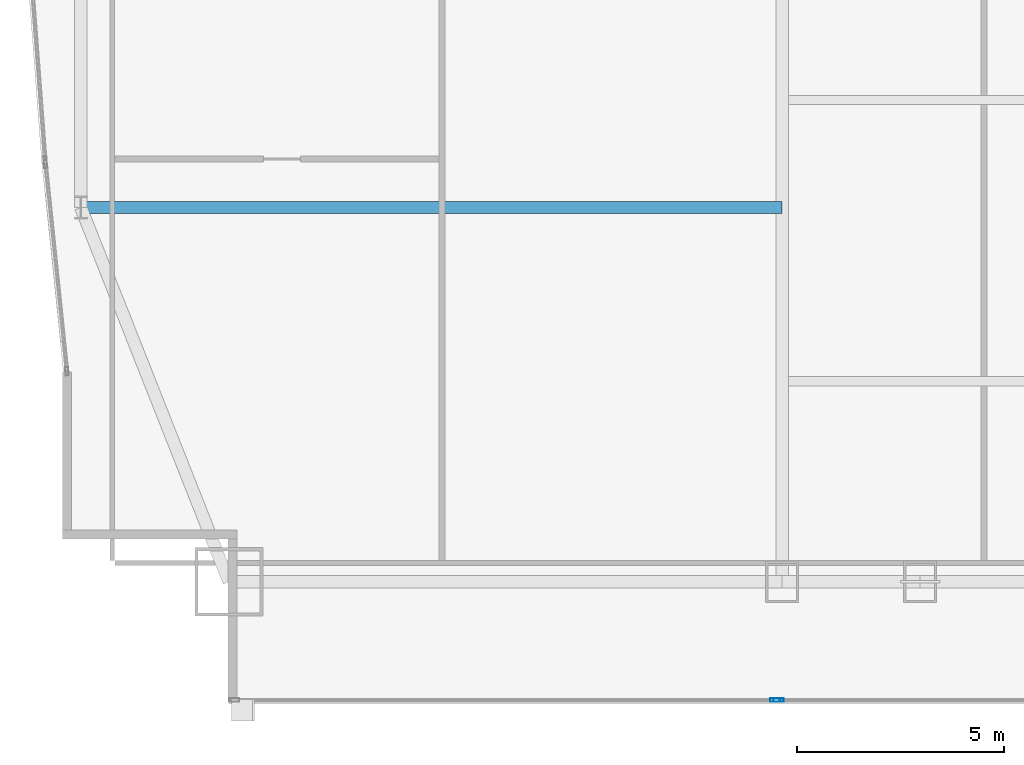
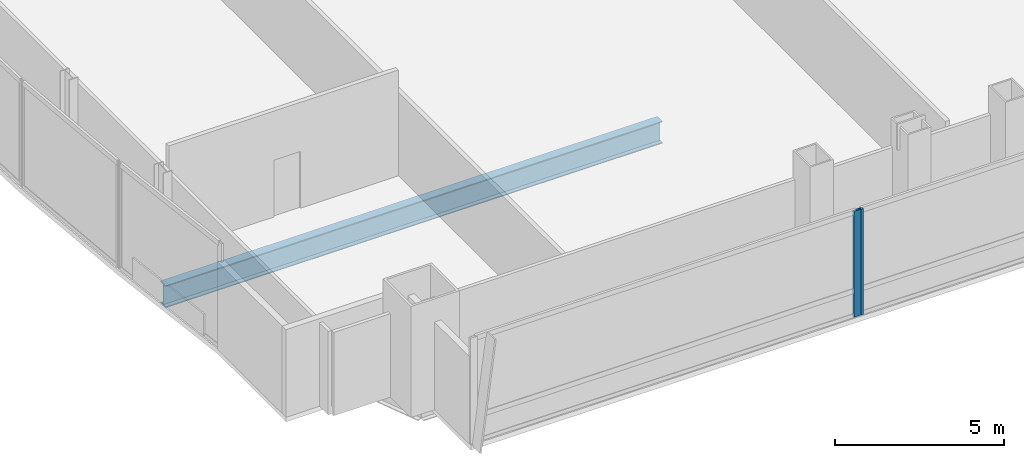
# One storey, part 7 of 33: 2 members, 1 beam, 2 elements without a shape of their own.
"""IFC4 building model written with IfcOpenShell, lengths in metres."""

from ifc_helpers import new_model, si_unit, direction, frame, origin, origin_2d, place, context, subcontext, project, spatial, hollow_rectangle, i_section, extrude, material, material_profile, profile_set, type_object, element, aggregate, save


model = new_model("IFC4")

# Units and contexts
model_context = context("Model", 3, precision=1e-05, world=origin(), true_north=direction((0.0, 1.0)))
body_context = subcontext(model_context, "Body", "Model", "MODEL_VIEW")
ifc_project = project(units=[si_unit("LENGTHUNIT", "METRE"), si_unit("AREAUNIT", "SQUARE_METRE"), si_unit("VOLUMEUNIT", "CUBIC_METRE"), si_unit("PLANEANGLEUNIT", "RADIAN"), si_unit("MASSUNIT", "GRAM", prefix="KILO")], contexts=[model_context])

# Site, building, storey
site_placement = place(None, origin())
site = spatial("IfcSite", under=ifc_project, at=site_placement, CompositionType="ELEMENT")
building_placement = place(site_placement, origin())
building = spatial("IfcBuilding", under=site, at=building_placement, Name="Khoronbel Lancet Exchange", CompositionType="ELEMENT")
storey_placement = place(building_placement, frame((0.0, 0.0, 33.800048828125)))
storey = spatial("IfcBuildingStorey", under=building, at=storey_placement, Name="L07", CompositionType="ELEMENT", Elevation=33.800048828125)

# Beam
ifc_material_1 = material(Name="Steel S355", Category="steel")
ifc_material_profile_1 = material_profile(ifc_material_1, i_section(OverallWidth=0.300048828125, OverallDepth=0.800048828125, WebThickness=0.017578125, FlangeThickness=0.032958984375, at=origin_2d()), Name="HEB 800")
ifc_profile_set_1 = profile_set([ifc_material_profile_1], Name="Steel S355")
beam_type = type_object("IfcBeamType", Name="BM-BG2", PredefinedType="BEAM", material=ifc_profile_set_1)
beam_placement = place(storey_placement, frame((1.27001953125, 19.199951171875, -0.580078125), z_axis=(1.0, 0.0, 0.0), x_axis=(0.0, 1.0, 0.0)))
element("IfcBeam", 1, at=beam_placement, inside=storey, type_object=beam_type, Name="Level L07 west lens tie girder LG1W", PredefinedType="BEAM", context=body_context, shape_type="SweptSolid", body=[
    extrude(i_section(OverallWidth=0.300048828125, OverallDepth=0.800048828125, WebThickness=0.017578125, FlangeThickness=0.032958984375, at=origin_2d()), origin(), (0.0, 0.0, 1.0), 16.955078125),
])

# Curtain wall, member
ifc_material_2 = material(Name="Low-E Solar Control Insulating Glass", Category="glass")
curtain_wall_type = type_object("IfcCurtainWallType", Name="CW-1", PredefinedType="NOTDEFINED", material=ifc_material_2)
curtain_wall_1_placement = place(storey_placement, origin())
curtain_wall_1 = element("IfcCurtainWall", 2, at=curtain_wall_1_placement, inside=storey, type_object=curtain_wall_type, Name="Unitised curtain wall CW-L07-SWV", PredefinedType="NOTDEFINED")
ifc_material_3 = material(Name="Bronze-Anodised Aluminium 6063-T6", Category="aluminium")
ifc_material_profile_2 = material_profile(ifc_material_3, hollow_rectangle(XDim=0.0849609375, YDim=0.239990234375, WallThickness=0.006103515625, at=origin_2d()), Name="ALU MULLION 85x240")
ifc_profile_set_2 = profile_set([ifc_material_profile_2], Name="Bronze-Anodised Aluminium 6063-T6")
member_type = type_object("IfcMemberType", Name="MEM-CWM1", PredefinedType="MULLION", material=ifc_profile_set_2)
member_1_placement = place(storey_placement, frame((18.0576171875, 7.2900390625, 0.0), z_axis=(0.0, 0.0, 1.0), x_axis=(0.0, 1.0, 0.0)))
member_1 = element("IfcMember", 3, at=member_1_placement, type_object=member_type, Name="CW1 mullion 2", PredefinedType="MULLION", context=body_context, shape_type="SweptSolid", body=[
    extrude(hollow_rectangle(XDim=0.0849609375, YDim=0.239990234375, WallThickness=0.006103515625, at=origin_2d()), origin(), (0.0, 0.0, 1.0), 3.820068359375),
])
aggregate(curtain_wall_1, [member_1])

curtain_wall_2_placement = place(storey_placement, origin())
curtain_wall_2 = element("IfcCurtainWall", 4, at=curtain_wall_2_placement, inside=storey, type_object=curtain_wall_type, Name="Unitised curtain wall CW-L07-SWB", PredefinedType="NOTDEFINED")
member_2_placement = place(storey_placement, frame((18.142578125, 7.2900390625, 0.0), z_axis=(0.0, 0.0, 1.0), x_axis=(0.0, 1.0, 0.0)))
member_2 = element("IfcMember", 5, at=member_2_placement, type_object=member_type, Name="CW1 mullion 1", PredefinedType="MULLION", context=body_context, shape_type="SweptSolid", body=[
    extrude(hollow_rectangle(XDim=0.0849609375, YDim=0.239990234375, WallThickness=0.006103515625, at=origin_2d()), origin(), (0.0, 0.0, 1.0), 3.820068359375),
])
aggregate(curtain_wall_2, [member_2])

save(model, "model.ifc")
